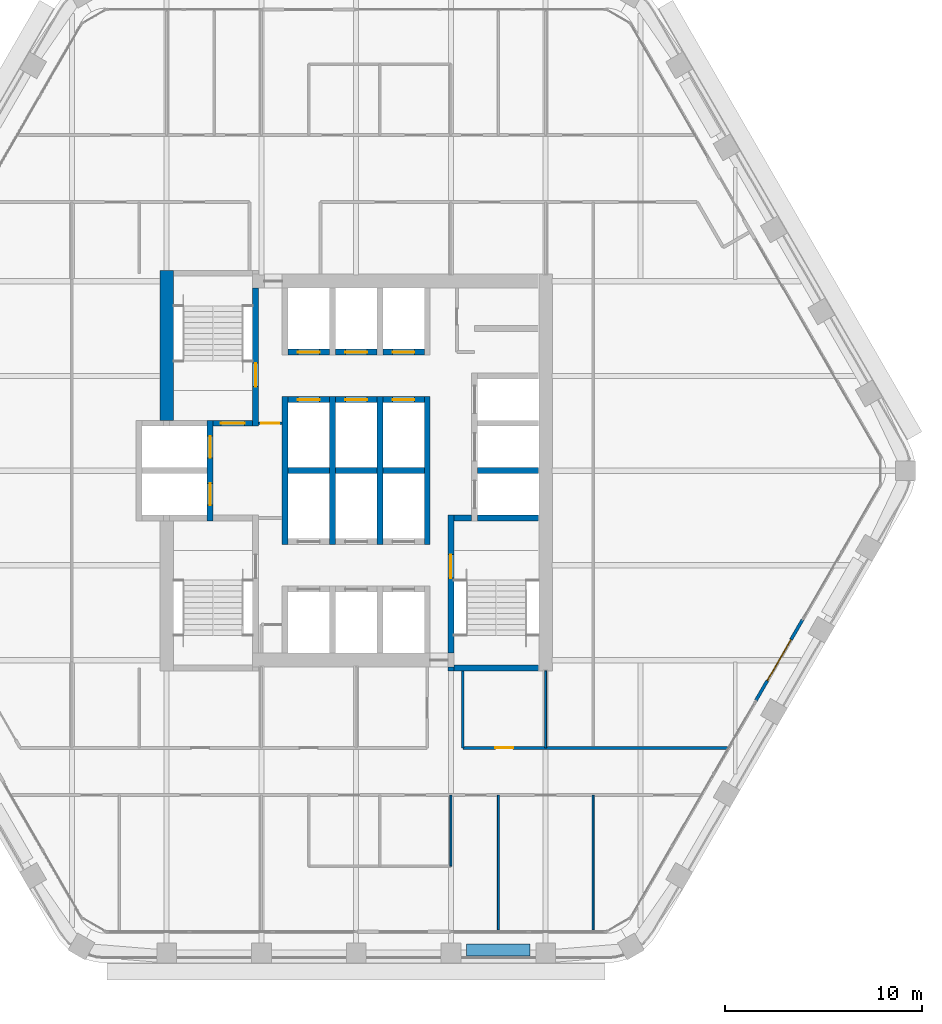
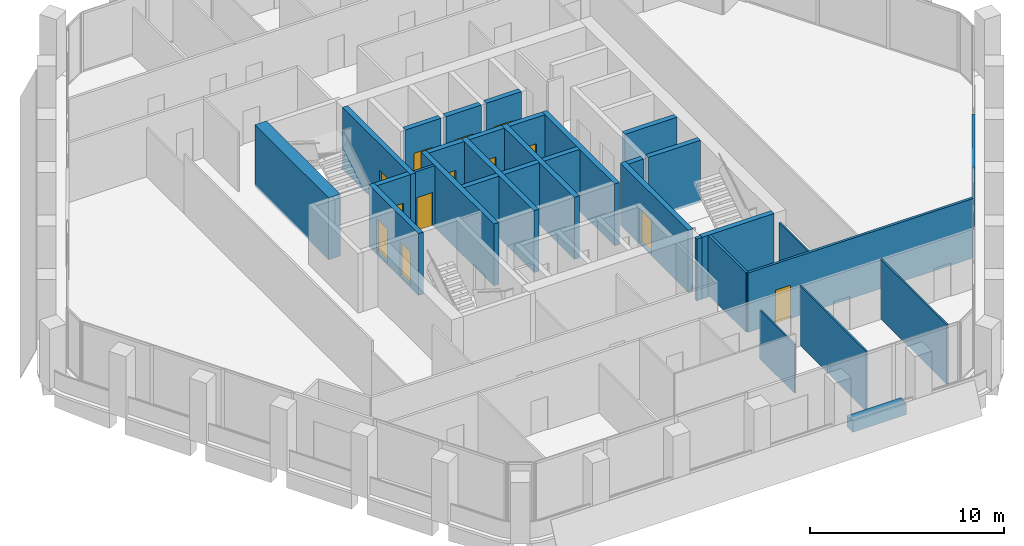
# One storey, part 10 of 15: 32 walls, 14 doors, 14 openings.
"""IFC4 building model written with IfcOpenShell, lengths in metres."""

import ifcopenshell
import ifcopenshell.guid

model = None  # the IFC model being written
_history = None  # IfcOwnerHistory: only IFC2X3 demands one
_inside = {}  # id of a spatial element -> (the spatial element, [elements in it])
_under = {}  # id of a project, library or spatial element -> (it, [spatial elements below it])
_declared = {}  # id of a project -> (the project, [libraries it declares])
_typed = {}  # id of a type object -> (the type object, [elements of that type])
_made_of = {}  # id of a material, layer set ... -> (it, [elements and type objects made of it])


def new_model(schema):
    """Start an empty IFC model of exactly this schema.

    Asked for "IFC4X3", IfcOpenShell would pick the latest addendum, in which some entities
    have other attributes; the version numbers below select the first issue.
    IFC2X3 requires an IfcOwnerHistory on every rooted entity: one is made here for all.
    """
    global model, _history
    if schema == "IFC4X3":
        model = ifcopenshell.file(schema_version=(4, 3, 0, 0))
    else:
        model = ifcopenshell.file(schema=schema)
    _inside.clear()
    _under.clear()
    _declared.clear()
    _typed.clear()
    _made_of.clear()
    _history = None
    if model.schema == "IFC2X3":
        org = make("IfcOrganization", Name="unknown")
        user = make(
            "IfcPersonAndOrganization",
            ThePerson=make("IfcPerson", FamilyName="unknown"),
            TheOrganization=org,
        )
        app = make(
            "IfcApplication",
            ApplicationDeveloper=org,
            Version="unknown",
            ApplicationFullName="unknown",
            ApplicationIdentifier="unknown",
        )
        _history = make(
            "IfcOwnerHistory",
            OwningUser=user,
            OwningApplication=app,
            ChangeAction="ADDED",
            CreationDate=0,
        )
    return model


def make(cls, **values):
    """One entity of the class cls with the attributes given. An attribute that is None is left unset."""
    return model.create_entity(
        cls, **{name: value for name, value in values.items() if value is not None}
    )


def rooted(cls, **values):
    """An entity with a GlobalId (a new one), such as an element, a storey or a relation."""
    return make(cls, GlobalId=ifcopenshell.guid.new(), OwnerHistory=_history, **values)


def si_unit(unit_type, name, prefix=None):
    """IfcSIUnit, for example si_unit("LENGTHUNIT", "METRE", prefix="MILLI")."""
    return make("IfcSIUnit", UnitType=unit_type, Prefix=prefix, Name=name)


def assignment(units):
    """IfcUnitAssignment: the units of a project."""
    return None if units is None else make("IfcUnitAssignment", Units=units)


def point(xyz):
    """IfcCartesianPoint."""
    return None if xyz is None else make("IfcCartesianPoint", Coordinates=xyz)


def direction(xyz):
    """IfcDirection."""
    return None if xyz is None else make("IfcDirection", DirectionRatios=xyz)


def frame(location, z_axis=None, x_axis=None):
    """IfcAxis2Placement3D, a coordinate frame: its origin and axes. An axis left out is left unset."""
    return make(
        "IfcAxis2Placement3D",
        Location=point(location),
        Axis=direction(z_axis),
        RefDirection=direction(x_axis),
    )


def frame_2d(location, x_axis=None):
    """IfcAxis2Placement2D, a coordinate frame in the plane: its origin and x axis."""
    return make(
        "IfcAxis2Placement2D", Location=point(location), RefDirection=direction(x_axis)
    )


def origin():
    """The frame at (0, 0, 0) with its axes left unset."""
    return frame((0.0, 0.0, 0.0))


def place(relative_to, where):
    """IfcLocalPlacement: puts the frame where relative to a parent placement (None: the world)."""
    return make(
        "IfcLocalPlacement", PlacementRelTo=relative_to, RelativePlacement=where
    )


def context(
    kind, dimensions, precision=None, world=None, true_north=None, identifier=None
):
    """IfcGeometricRepresentationContext, for example the 3D "Model" context."""
    return make(
        "IfcGeometricRepresentationContext",
        ContextIdentifier=identifier,
        ContextType=kind,
        CoordinateSpaceDimension=dimensions,
        Precision=precision,
        WorldCoordinateSystem=world,
        TrueNorth=true_north,
    )


def subcontext(parent, identifier, kind, view, scale=None):
    """IfcGeometricRepresentationSubContext, for example "Body" below "Model"."""
    return make(
        "IfcGeometricRepresentationSubContext",
        ContextIdentifier=identifier,
        ContextType=kind,
        ParentContext=parent,
        TargetScale=scale,
        TargetView=view,
    )


def project(units=None, contexts=None):
    """IfcProject with its units and contexts."""
    return rooted(
        "IfcProject",
        Name="project",
        RepresentationContexts=contexts,
        UnitsInContext=assignment(units),
    )


def spatial(cls, under=None, at=None, **own):
    """A site, building, storey or space (cls), placed at a placement, below another one or the project."""
    s = rooted(cls, ObjectPlacement=at, **own)
    if under is not None:
        _under.setdefault(under.id(), (under, []))[1].append(s)
    return s


def profile(cls, at=None, kind="AREA", **sizes):
    """A parametric profile (cls). Its sizes go by their IFC names, for example OverallWidth=200.0."""
    return make(cls, ProfileType=kind, Position=at, **sizes)


def rectangle(**sizes):
    """IfcRectangleProfileDef."""
    return profile("IfcRectangleProfileDef", **sizes)


def extrude(swept, where, along, depth):
    """IfcExtrudedAreaSolid: the profile swept, set in the frame where, extruded along a direction by depth."""
    return make(
        "IfcExtrudedAreaSolid",
        SweptArea=swept,
        Position=where,
        ExtrudedDirection=direction(along),
        Depth=depth,
    )


def shape(context_of_items, identifier, shape_type, items):
    """IfcShapeRepresentation: the items that make up one representation, for example the "Body"."""
    return make(
        "IfcShapeRepresentation",
        ContextOfItems=context_of_items,
        RepresentationIdentifier=identifier,
        RepresentationType=shape_type,
        Items=items,
    )


def material(Name=None, Category=None):
    """IfcMaterial."""
    return make("IfcMaterial", Name=Name, Category=Category)


def layer(
    of_material, thickness, ventilated=None, Name=None, Category=None, Priority=None
):
    """IfcMaterialLayer: one layer of a wall or slab, of a material (None: an air gap)."""
    return make(
        "IfcMaterialLayer",
        Material=of_material,
        LayerThickness=thickness,
        IsVentilated=ventilated,
        Name=Name,
        Category=Category,
        Priority=Priority,
    )


def layer_set(layers, Name=None):
    """IfcMaterialLayerSet."""
    return make("IfcMaterialLayerSet", MaterialLayers=layers, LayerSetName=Name)


def made_of(thing, what):
    """Note that an element or type object is made of a material, layer set ...; save() writes the relation."""
    if what is not None:
        _made_of.setdefault(what.id(), (what, []))[1].append(thing)
    return thing


def type_object(cls, material=None, **own):
    """A type object (cls), such as IfcWallType, which elements share."""
    return made_of(rooted(cls, **own), material)


def element(
    cls,
    number,
    at=None,
    inside=None,
    cuts=None,
    type_object=None,
    material=None,
    context=None,
    identifier="Body",
    shape_type=None,
    held_by="IfcProductDefinitionShape",
    body=None,
    shapes=None,
    **own,
):
    """One element of the class cls, such as IfcWall. Its Tag is "e" and its number.

    at: its placement. inside: the storey or other place that contains it. cuts: it is an
    opening in that element (IfcRelVoidsElement). A single representation is given by context,
    identifier, shape_type and body (its items); several are given by shapes. held_by: the class
    of the entity that holds the representations. save() writes the other relations.
    """
    e = rooted(cls, Tag="e%d" % number, ObjectPlacement=at, **own)
    if body is not None:
        shapes = [shape(context, identifier, shape_type, body)]
    if shapes is not None:
        e.Representation = make(held_by, Representations=shapes)
    if inside is not None:
        _inside.setdefault(inside.id(), (inside, []))[1].append(e)
    if cuts is not None:
        rooted(
            "IfcRelVoidsElement", RelatingBuildingElement=cuts, RelatedOpeningElement=e
        )
    if type_object is not None:
        _typed.setdefault(type_object.id(), (type_object, []))[1].append(e)
    return made_of(e, material)


def fill(opening, filler):
    """IfcRelFillsElement: the door or window that sits in an opening."""
    return rooted(
        "IfcRelFillsElement",
        RelatingOpeningElement=opening,
        RelatedBuildingElement=filler,
    )


def aggregate(whole, parts):
    """IfcRelAggregates: a whole, such as a stair, and the parts it consists of."""
    return rooted("IfcRelAggregates", RelatingObject=whole, RelatedObjects=parts)


def save(model, path):
    """Write the relations noted so far, then the file.

    IfcRelAggregates (storeys below a building ...), IfcRelContainedInSpatialStructure (elements
    in a storey), IfcRelDefinesByType, IfcRelAssociatesMaterial and IfcRelDeclares: one each for
    every whole, place, type object, material and project.
    """
    for whole, parts in _under.values():
        aggregate(whole, parts)
    for where, things in _inside.values():
        rooted(
            "IfcRelContainedInSpatialStructure",
            RelatedElements=things,
            RelatingStructure=where,
        )
    for kind, things in _typed.values():
        rooted("IfcRelDefinesByType", RelatedObjects=things, RelatingType=kind)
    for what, things in _made_of.values():
        rooted("IfcRelAssociatesMaterial", RelatedObjects=things, RelatingMaterial=what)
    for by, libraries in _declared.values():
        rooted("IfcRelDeclares", RelatingContext=by, RelatedDefinitions=libraries)
    model.write(path)


model = new_model("IFC4")

# Units and contexts
model_context = context("Model", 3, precision=1e-05, world=origin(), true_north=direction((0.0, 1.0)))
body_context = subcontext(model_context, "Body", "Model", "MODEL_VIEW")
ifc_project = project(units=[si_unit("LENGTHUNIT", "METRE"), si_unit("AREAUNIT", "SQUARE_METRE"), si_unit("VOLUMEUNIT", "CUBIC_METRE"), si_unit("PLANEANGLEUNIT", "RADIAN"), si_unit("MASSUNIT", "GRAM", prefix="KILO")], contexts=[model_context])

# Site, building, storey
site_placement = place(None, origin())
site = spatial("IfcSite", under=ifc_project, at=site_placement, CompositionType="ELEMENT")
building_placement = place(site_placement, origin())
building = spatial("IfcBuilding", under=site, at=building_placement, Name="Kolab Exchange Tower", CompositionType="ELEMENT")
storey_placement = place(building_placement, frame((0.0, 0.0, 170.0)))
storey = spatial("IfcBuildingStorey", under=building, at=storey_placement, Name="L35", CompositionType="ELEMENT", Elevation=170.0)

# Wall
ifc_material_1 = material(Name="Concrete C60/75", Category="concrete")
ifc_layer_1 = layer(ifc_material_1, 0.699951171875)
ifc_layer_set_1 = layer_set([ifc_layer_1], Name="Concrete C60/75")
wall_type_1 = type_object("IfcWallType", Name="CORE WALL 700 C60/75", PredefinedType="SHEAR", material=ifc_layer_set_1)
wall_1_placement = place(storey_placement, frame((-9.60009765625, 2.550048828125, -0.14990234375), z_axis=(0.0, 0.0, 1.0), x_axis=(0.0, 1.0, 0.0)))
element("IfcWall", 1, at=wall_1_placement, inside=storey, type_object=wall_type_1, Name="wall/L35/core/037", PredefinedType="SHEAR", context=body_context, shape_type="SweptSolid", body=[
    extrude(rectangle(XDim=7.599853515625, YDim=0.699951171875, at=frame_2d((3.7998046875, 0.0))), origin(), (0.0, 0.0, 1.0), 3.89990234375),
])

# Wall, opening, door
ifc_material_2 = material(Name="Aluminium EN AW-6063 T6", Category="aluminium")
ifc_layer_2 = layer(ifc_material_2, 0.159912109375)
ifc_layer_set_2 = layer_set([ifc_layer_2], Name="Aluminium EN AW-6063 T6")
wall_type_2 = type_object("IfcWallType", Name="DOOR SURROUND WALL 160 ALUMINIUM FRAMED", PredefinedType="PARTITIONING", material=ifc_layer_set_2)
wall_2_placement = place(storey_placement, frame((22.61669921875, -7.5498046875, 0.0), z_axis=(0.0, 0.0, 1.0), x_axis=(-0.5000167099, -0.866015756104, 0.0)))
wall_2 = element("IfcWall", 2, at=wall_2_placement, inside=storey, type_object=wall_type_2, Name="Door surround wall", PredefinedType="PARTITIONING", context=body_context, shape_type="SweptSolid", body=[
    extrude(rectangle(XDim=4.739990234375, YDim=0.159912109375, at=frame_2d((2.3701171875, 0.0))), origin(), (0.0, 0.0, 1.0), 3.75),
])
opening_1_placement = place(wall_2_placement, frame((1.169921875, 0.0, 0.0)))
opening_1 = element("IfcOpeningElement", 3, at=opening_1_placement, cuts=wall_2, Name="Opening GD1-066", PredefinedType="OPENING", context=body_context, shape_type="SweptSolid", body=[
    extrude(rectangle(XDim=2.39990234375, YDim=2.39990234375, at=frame_2d((1.199951171875, 1.199951171875))), frame((0.0, 0.08984375, 0.0), z_axis=(0.0, -1.0, 0.0), x_axis=(1.0, 0.0, 0.0)), (0.0, 0.0, 1.0), 0.179931640625),
])
door_type_1 = type_object("IfcDoorType", Name="LOGGIA SLIDING GLASS DOOR 2400 X 2400", OperationType="DOUBLE_DOOR_SINGLE_SWING", PredefinedType="DOOR", material=ifc_material_2)
door_1_placement = place(opening_1_placement, origin())
door_1 = element("IfcDoor", 4, at=door_1_placement, inside=storey, type_object=door_type_1, Name="Loggia door", OperationType="DOUBLE_DOOR_SLIDING", OverallHeight=2.39990234375, OverallWidth=2.39990234375, PredefinedType="DOOR", context=body_context, shape_type="SweptSolid", body=[
    extrude(rectangle(XDim=2.39990234375, YDim=2.39990234375, at=frame_2d((1.199951171875, 1.199951171875))), frame((0.0, 0.02490234375, 0.0), z_axis=(0.0, -1.0, 0.0), x_axis=(1.0, 0.0, 0.0)), (0.0, 0.0, 1.0), 0.050048828125),
])
fill(opening_1, door_1)

# Walls
ifc_material_3 = material(Name="Concrete C50/60", Category="concrete")
ifc_layer_3 = layer(ifc_material_3, 0.300048828125)
ifc_layer_set_3 = layer_set([ifc_layer_3], Name="Concrete C50/60")
wall_type_3 = type_object("IfcWallType", Name="LIFT SHAFT WALL 300 C50/60", PredefinedType="STANDARD", material=ifc_layer_set_3)
wall_3_placement = place(storey_placement, frame((-3.449951171875, 0.0, -0.14990234375), z_axis=(0.0, 0.0, 1.0), x_axis=(1.0, 0.0, 0.0)))
element("IfcWall", 5, at=wall_3_placement, inside=storey, type_object=wall_type_3, Name="wall/L35/core/015", PredefinedType="STANDARD", context=body_context, shape_type="SweptSolid", body=[
    extrude(rectangle(XDim=2.099853515625, YDim=0.300048828125, at=frame_2d((1.0498046875, 0.0))), origin(), (0.0, 0.0, 1.0), 3.89990234375),
])
wall_4_placement = place(storey_placement, frame((-1.050048828125, 0.0, -0.14990234375), z_axis=(0.0, 0.0, 1.0), x_axis=(1.0, 0.0, 0.0)))
element("IfcWall", 6, at=wall_4_placement, inside=storey, type_object=wall_type_3, Name="wall/L35/core/016", PredefinedType="STANDARD", context=body_context, shape_type="SweptSolid", body=[
    extrude(rectangle(XDim=2.10009765625, YDim=0.300048828125, at=frame_2d((1.050048828125, 0.0))), origin(), (0.0, 0.0, 1.0), 3.89990234375),
])
wall_5_placement = place(storey_placement, frame((1.35009765625, 0.0, -0.14990234375), z_axis=(0.0, 0.0, 1.0), x_axis=(1.0, 0.0, 0.0)))
element("IfcWall", 7, at=wall_5_placement, inside=storey, type_object=wall_type_3, Name="wall/L35/core/017", PredefinedType="STANDARD", context=body_context, shape_type="SweptSolid", body=[
    extrude(rectangle(XDim=2.099853515625, YDim=0.300048828125, at=frame_2d((1.0498046875, 0.0))), origin(), (0.0, 0.0, 1.0), 3.89990234375),
])
wall_6_placement = place(storey_placement, frame((6.14990234375, 0.0, -0.14990234375), z_axis=(0.0, 0.0, 1.0), x_axis=(1.0, 0.0, 0.0)))
element("IfcWall", 8, at=wall_6_placement, inside=storey, type_object=wall_type_3, Name="wall/L35/core/018", PredefinedType="STANDARD", context=body_context, shape_type="SweptSolid", body=[
    extrude(rectangle(XDim=3.10009765625, YDim=0.300048828125, at=frame_2d((1.550048828125, 0.0))), origin(), (0.0, 0.0, 1.0), 3.89990234375),
])

# Wall, opening, door
wall_7_placement = place(storey_placement, frame((-3.449951171875, 3.60009765625, -0.14990234375), z_axis=(0.0, 0.0, 1.0), x_axis=(1.0, 0.0, 0.0)))
wall_7 = element("IfcWall", 9, at=wall_7_placement, inside=storey, type_object=wall_type_3, Name="wall/L35/core/023", PredefinedType="STANDARD", context=body_context, shape_type="SweptSolid", body=[
    extrude(rectangle(XDim=2.099853515625, YDim=0.300048828125, at=frame_2d((1.0498046875, 0.0))), origin(), (0.0, 0.0, 1.0), 3.89990234375),
])
opening_2_placement = place(wall_7_placement, frame((0.5, 0.0, 0.14990234375)))
opening_2 = element("IfcOpeningElement", 10, at=opening_2_placement, cuts=wall_7, Name="Opening LD1-115", PredefinedType="OPENING", context=body_context, shape_type="SweptSolid", body=[
    extrude(rectangle(XDim=1.10009765625, YDim=2.10009765625, at=frame_2d((0.550048828125, 1.050048828125))), frame((0.0, 0.16015625, 0.0), z_axis=(0.0, -1.0, 0.0), x_axis=(1.0, 0.0, 0.0)), (0.0, 0.0, 1.0), 0.320068359375),
])
ifc_material_4 = material(Name="Stainless steel 316", Category="steel")
door_type_2 = type_object("IfcDoorType", Name="LANDING DOOR 1100 PASSENGER", OperationType="DOUBLE_DOOR_SLIDING", PredefinedType="DOOR", material=ifc_material_4)
door_2_placement = place(opening_2_placement, origin())
door_2 = element("IfcDoor", 11, at=door_2_placement, inside=storey, type_object=door_type_2, Name="Landing door HR4", OperationType="DOUBLE_DOOR_SLIDING", OverallHeight=2.10009765625, OverallWidth=1.10009765625, PredefinedType="DOOR", context=body_context, shape_type="SweptSolid", body=[
    extrude(rectangle(XDim=1.10009765625, YDim=2.10009765625, at=frame_2d((0.550048828125, 1.050048828125))), frame((0.0, 0.02490234375, 0.0), z_axis=(0.0, -1.0, 0.0), x_axis=(1.0, 0.0, 0.0)), (0.0, 0.0, 1.0), 0.050048828125),
])
fill(opening_2, door_2)

wall_8_placement = place(storey_placement, frame((-1.050048828125, 3.60009765625, -0.14990234375), z_axis=(0.0, 0.0, 1.0), x_axis=(1.0, 0.0, 0.0)))
wall_8 = element("IfcWall", 12, at=wall_8_placement, inside=storey, type_object=wall_type_3, Name="wall/L35/core/024", PredefinedType="STANDARD", context=body_context, shape_type="SweptSolid", body=[
    extrude(rectangle(XDim=2.10009765625, YDim=0.300048828125, at=frame_2d((1.050048828125, 0.0))), origin(), (0.0, 0.0, 1.0), 3.89990234375),
])
opening_3_placement = place(wall_8_placement, frame((0.5, 0.0, 0.14990234375)))
opening_3 = element("IfcOpeningElement", 13, at=opening_3_placement, cuts=wall_8, Name="Opening LD1-116", PredefinedType="OPENING", context=body_context, shape_type="SweptSolid", body=[
    extrude(rectangle(XDim=1.10009765625, YDim=2.10009765625, at=frame_2d((0.550048828125, 1.050048828125))), frame((0.0, 0.16015625, 0.0), z_axis=(0.0, -1.0, 0.0), x_axis=(1.0, 0.0, 0.0)), (0.0, 0.0, 1.0), 0.320068359375),
])
door_3_placement = place(opening_3_placement, origin())
door_3 = element("IfcDoor", 14, at=door_3_placement, inside=storey, type_object=door_type_2, Name="Landing door HR5", OperationType="DOUBLE_DOOR_SLIDING", OverallHeight=2.10009765625, OverallWidth=1.10009765625, PredefinedType="DOOR", context=body_context, shape_type="SweptSolid", body=[
    extrude(rectangle(XDim=1.10009765625, YDim=2.10009765625, at=frame_2d((0.550048828125, 1.050048828125))), frame((0.0, 0.02490234375, 0.0), z_axis=(0.0, -1.0, 0.0), x_axis=(1.0, 0.0, 0.0)), (0.0, 0.0, 1.0), 0.050048828125),
])
fill(opening_3, door_3)

wall_9_placement = place(storey_placement, frame((1.35009765625, 3.60009765625, -0.14990234375), z_axis=(0.0, 0.0, 1.0), x_axis=(1.0, 0.0, 0.0)))
wall_9 = element("IfcWall", 15, at=wall_9_placement, inside=storey, type_object=wall_type_3, Name="wall/L35/core/025", PredefinedType="STANDARD", context=body_context, shape_type="SweptSolid", body=[
    extrude(rectangle(XDim=2.099853515625, YDim=0.300048828125, at=frame_2d((1.0498046875, 0.0))), origin(), (0.0, 0.0, 1.0), 3.89990234375),
])
opening_4_placement = place(wall_9_placement, frame((0.5, 0.0, 0.14990234375)))
opening_4 = element("IfcOpeningElement", 16, at=opening_4_placement, cuts=wall_9, Name="Opening LD1-117", PredefinedType="OPENING", context=body_context, shape_type="SweptSolid", body=[
    extrude(rectangle(XDim=1.10009765625, YDim=2.10009765625, at=frame_2d((0.550048828125, 1.050048828125))), frame((0.0, 0.16015625, 0.0), z_axis=(0.0, -1.0, 0.0), x_axis=(1.0, 0.0, 0.0)), (0.0, 0.0, 1.0), 0.320068359375),
])
door_4_placement = place(opening_4_placement, origin())
door_4 = element("IfcDoor", 17, at=door_4_placement, inside=storey, type_object=door_type_2, Name="Landing door HR6", OperationType="DOUBLE_DOOR_SLIDING", OverallHeight=2.10009765625, OverallWidth=1.10009765625, PredefinedType="DOOR", context=body_context, shape_type="SweptSolid", body=[
    extrude(rectangle(XDim=1.10009765625, YDim=2.10009765625, at=frame_2d((0.550048828125, 1.050048828125))), frame((0.0, 0.02490234375, 0.0), z_axis=(0.0, -1.0, 0.0), x_axis=(1.0, 0.0, 0.0)), (0.0, 0.0, 1.0), 0.050048828125),
])
fill(opening_4, door_4)

wall_10_placement = place(storey_placement, frame((-3.449951171875, 6.0, -0.14990234375), z_axis=(0.0, 0.0, 1.0), x_axis=(1.0, 0.0, 0.0)))
wall_10 = element("IfcWall", 18, at=wall_10_placement, inside=storey, type_object=wall_type_3, Name="wall/L35/core/027", PredefinedType="STANDARD", context=body_context, shape_type="SweptSolid", body=[
    extrude(rectangle(XDim=2.099853515625, YDim=0.300048828125, at=frame_2d((1.0498046875, 0.0))), origin(), (0.0, 0.0, 1.0), 3.89990234375),
])
opening_5_placement = place(wall_10_placement, frame((0.5, 0.0, 0.14990234375)))
opening_5 = element("IfcOpeningElement", 19, at=opening_5_placement, cuts=wall_10, Name="Opening LD1-109", PredefinedType="OPENING", context=body_context, shape_type="SweptSolid", body=[
    extrude(rectangle(XDim=1.10009765625, YDim=2.10009765625, at=frame_2d((0.550048828125, 1.050048828125))), frame((0.0, 0.16015625, 0.0), z_axis=(0.0, -1.0, 0.0), x_axis=(1.0, 0.0, 0.0)), (0.0, 0.0, 1.0), 0.320068359375),
])
door_5_placement = place(opening_5_placement, origin())
door_5 = element("IfcDoor", 20, at=door_5_placement, inside=storey, type_object=door_type_2, Name="Landing door HR1", OperationType="DOUBLE_DOOR_SLIDING", OverallHeight=2.10009765625, OverallWidth=1.10009765625, PredefinedType="DOOR", context=body_context, shape_type="SweptSolid", body=[
    extrude(rectangle(XDim=1.10009765625, YDim=2.10009765625, at=frame_2d((0.550048828125, 1.050048828125))), frame((0.0, 0.02490234375, 0.0), z_axis=(0.0, -1.0, 0.0), x_axis=(1.0, 0.0, 0.0)), (0.0, 0.0, 1.0), 0.050048828125),
])
fill(opening_5, door_5)

wall_11_placement = place(storey_placement, frame((-1.050048828125, 6.0, -0.14990234375), z_axis=(0.0, 0.0, 1.0), x_axis=(1.0, 0.0, 0.0)))
wall_11 = element("IfcWall", 21, at=wall_11_placement, inside=storey, type_object=wall_type_3, Name="wall/L35/core/028", PredefinedType="STANDARD", context=body_context, shape_type="SweptSolid", body=[
    extrude(rectangle(XDim=2.10009765625, YDim=0.300048828125, at=frame_2d((1.050048828125, 0.0))), origin(), (0.0, 0.0, 1.0), 3.89990234375),
])
opening_6_placement = place(wall_11_placement, frame((0.5, 0.0, 0.14990234375)))
opening_6 = element("IfcOpeningElement", 22, at=opening_6_placement, cuts=wall_11, Name="Opening LD1-113", PredefinedType="OPENING", context=body_context, shape_type="SweptSolid", body=[
    extrude(rectangle(XDim=1.10009765625, YDim=2.10009765625, at=frame_2d((0.550048828125, 1.050048828125))), frame((0.0, 0.16015625, 0.0), z_axis=(0.0, -1.0, 0.0), x_axis=(1.0, 0.0, 0.0)), (0.0, 0.0, 1.0), 0.320068359375),
])
door_6_placement = place(opening_6_placement, origin())
door_6 = element("IfcDoor", 23, at=door_6_placement, inside=storey, type_object=door_type_2, Name="Landing door HR2", OperationType="DOUBLE_DOOR_SLIDING", OverallHeight=2.10009765625, OverallWidth=1.10009765625, PredefinedType="DOOR", context=body_context, shape_type="SweptSolid", body=[
    extrude(rectangle(XDim=1.10009765625, YDim=2.10009765625, at=frame_2d((0.550048828125, 1.050048828125))), frame((0.0, 0.02490234375, 0.0), z_axis=(0.0, -1.0, 0.0), x_axis=(1.0, 0.0, 0.0)), (0.0, 0.0, 1.0), 0.050048828125),
])
fill(opening_6, door_6)

wall_12_placement = place(storey_placement, frame((1.35009765625, 6.0, -0.14990234375), z_axis=(0.0, 0.0, 1.0), x_axis=(1.0, 0.0, 0.0)))
wall_12 = element("IfcWall", 24, at=wall_12_placement, inside=storey, type_object=wall_type_3, Name="wall/L35/core/029", PredefinedType="STANDARD", context=body_context, shape_type="SweptSolid", body=[
    extrude(rectangle(XDim=2.099853515625, YDim=0.300048828125, at=frame_2d((1.0498046875, 0.0))), origin(), (0.0, 0.0, 1.0), 3.89990234375),
])
opening_7_placement = place(wall_12_placement, frame((0.5, 0.0, 0.14990234375)))
opening_7 = element("IfcOpeningElement", 25, at=opening_7_placement, cuts=wall_12, Name="Opening LD1-114", PredefinedType="OPENING", context=body_context, shape_type="SweptSolid", body=[
    extrude(rectangle(XDim=1.10009765625, YDim=2.10009765625, at=frame_2d((0.550048828125, 1.050048828125))), frame((0.0, 0.16015625, 0.0), z_axis=(0.0, -1.0, 0.0), x_axis=(1.0, 0.0, 0.0)), (0.0, 0.0, 1.0), 0.320068359375),
])
door_7_placement = place(opening_7_placement, origin())
door_7 = element("IfcDoor", 26, at=door_7_placement, inside=storey, type_object=door_type_2, Name="Landing door HR3", OperationType="DOUBLE_DOOR_SLIDING", OverallHeight=2.10009765625, OverallWidth=1.10009765625, PredefinedType="DOOR", context=body_context, shape_type="SweptSolid", body=[
    extrude(rectangle(XDim=1.10009765625, YDim=2.10009765625, at=frame_2d((0.550048828125, 1.050048828125))), frame((0.0, 0.02490234375, 0.0), z_axis=(0.0, -1.0, 0.0), x_axis=(1.0, 0.0, 0.0)), (0.0, 0.0, 1.0), 0.050048828125),
])
fill(opening_7, door_7)

# Wall, openings, doors
wall_13_placement = place(storey_placement, frame((-7.39990234375, -2.550048828125, -0.14990234375), z_axis=(0.0, 0.0, 1.0), x_axis=(0.0, 1.0, 0.0)))
wall_13 = element("IfcWall", 27, at=wall_13_placement, inside=storey, type_object=wall_type_3, Name="wall/L35/core/038", PredefinedType="STANDARD", context=body_context, shape_type="SweptSolid", body=[
    extrude(rectangle(XDim=5.10009765625, YDim=0.300048828125, at=frame_2d((2.550048828125, 0.0))), origin(), (0.0, 0.0, 1.0), 3.89990234375),
])
opening_8_placement = place(wall_13_placement, frame((0.800048828125, 0.0, 0.14990234375)))
opening_8 = element("IfcOpeningElement", 28, at=opening_8_placement, cuts=wall_13, Name="Opening LD2-025", PredefinedType="OPENING", context=body_context, shape_type="SweptSolid", body=[
    extrude(rectangle(XDim=1.10009765625, YDim=2.10009765625, at=frame_2d((0.550048828125, 1.050048828125))), frame((0.0, 0.16015625, 0.0), z_axis=(0.0, -1.0, 0.0), x_axis=(1.0, 0.0, 0.0)), (0.0, 0.0, 1.0), 0.320068359375),
])
opening_9_placement = place(wall_13_placement, frame((3.199951171875, 0.0, 0.14990234375)))
opening_9 = element("IfcOpeningElement", 29, at=opening_9_placement, cuts=wall_13, Name="Opening LD2-026", PredefinedType="OPENING", context=body_context, shape_type="SweptSolid", body=[
    extrude(rectangle(XDim=1.10009765625, YDim=2.10009765625, at=frame_2d((0.550048828125, 1.050048828125))), frame((0.0, 0.16015625, 0.0), z_axis=(0.0, -1.0, 0.0), x_axis=(1.0, 0.0, 0.0)), (0.0, 0.0, 1.0), 0.320068359375),
])
door_type_3 = type_object("IfcDoorType", Name="LANDING DOOR 1100 FIREFIGHTING", OperationType="DOUBLE_DOOR_SLIDING", PredefinedType="DOOR", material=ifc_material_4)
door_8_placement = place(opening_8_placement, origin())
door_8 = element("IfcDoor", 30, at=door_8_placement, inside=storey, type_object=door_type_3, Name="Landing door FF1", OperationType="DOUBLE_DOOR_SLIDING", OverallHeight=2.10009765625, OverallWidth=1.10009765625, PredefinedType="DOOR", context=body_context, shape_type="SweptSolid", body=[
    extrude(rectangle(XDim=1.10009765625, YDim=2.10009765625, at=frame_2d((0.550048828125, 1.050048828125))), frame((0.0, 0.02490234375, 0.0), z_axis=(0.0, -1.0, 0.0), x_axis=(1.0, 0.0, 0.0)), (0.0, 0.0, 1.0), 0.050048828125),
])
fill(opening_8, door_8)
door_9_placement = place(opening_9_placement, origin())
door_9 = element("IfcDoor", 31, at=door_9_placement, inside=storey, type_object=door_type_3, Name="Landing door FF2", OperationType="DOUBLE_DOOR_SLIDING", OverallHeight=2.10009765625, OverallWidth=1.10009765625, PredefinedType="DOOR", context=body_context, shape_type="SweptSolid", body=[
    extrude(rectangle(XDim=1.10009765625, YDim=2.10009765625, at=frame_2d((0.550048828125, 1.050048828125))), frame((0.0, 0.02490234375, 0.0), z_axis=(0.0, -1.0, 0.0), x_axis=(1.0, 0.0, 0.0)), (0.0, 0.0, 1.0), 0.050048828125),
])
fill(opening_9, door_9)

# Walls
for number, where, z_axis, x_axis, name in (
    (32, (-3.60009765625, -3.75, -0.14990234375), (0.0, 0.0, 1.0), (0.0, 1.0, 0.0), "wall/L35/core/044"),
    (33, (-1.199951171875, -3.75, -0.14990234375), (0.0, 0.0, 1.0), (0.0, 1.0, 0.0), "wall/L35/core/047"),
    (34, (1.199951171875, -3.75, -0.14990234375), (0.0, 0.0, 1.0), (0.0, 1.0, 0.0), "wall/L35/core/050"),
    (35, (3.60009765625, -3.75, -0.14990234375), (0.0, 0.0, 1.0), (0.0, 1.0, 0.0), "wall/L35/core/053"),
):
    element("IfcWall", number, at=place(storey_placement, frame(where, z_axis=z_axis, x_axis=x_axis)), inside=storey, type_object=wall_type_3, Name=name, PredefinedType="STANDARD", context=body_context, shape_type="SweptSolid", body=[
        extrude(rectangle(XDim=7.5, YDim=0.300048828125, at=frame_2d((3.75, 0.0))), origin(), (0.0, 0.0, 1.0), 3.89990234375),
    ])
ifc_material_5 = material(Name="Gypsum board", Category="gypsum")
ifc_layer_4 = layer(ifc_material_5, 0.10009765625)
ifc_layer_set_4 = layer_set([ifc_layer_4], Name="Gypsum board")
wall_type_4 = type_object("IfcWallType", Name="PARTITION 100", PredefinedType="PARTITIONING", material=ifc_layer_set_4)
wall_14_placement = place(storey_placement, frame((12.0, -23.271484375, 0.0), z_axis=(0.0, 0.0, 1.0), x_axis=(0.0, 1.0, 0.0)))
element("IfcWall", 36, at=wall_14_placement, inside=storey, type_object=wall_type_4, Name="Partition 000", PredefinedType="PARTITIONING", context=body_context, shape_type="SweptSolid", body=[
    extrude(rectangle(XDim=6.830078125, YDim=0.10009765625, at=frame_2d((3.4150390625, 0.0))), origin(), (0.0, 0.0, 1.0), 3.75),
])
wall_15_placement = place(storey_placement, frame((9.60009765625, -14.04150390625, 0.0), z_axis=(0.0, 0.0, 1.0), x_axis=(0.0, 1.0, 0.0)))
element("IfcWall", 37, at=wall_15_placement, inside=storey, type_object=wall_type_4, Name="Partition 002", PredefinedType="PARTITIONING", context=body_context, shape_type="SweptSolid", body=[
    extrude(rectangle(XDim=3.8916015625, YDim=0.10009765625, at=frame_2d((1.94580078125, 0.0))), origin(), (0.0, 0.0, 1.0), 3.06591796875),
])
wall_16_placement = place(storey_placement, frame((7.199951171875, -23.271484375, 0.0), z_axis=(0.0, 0.0, 1.0), x_axis=(0.0, 1.0, 0.0)))
element("IfcWall", 38, at=wall_16_placement, inside=storey, type_object=wall_type_4, Name="Partition 005", PredefinedType="PARTITIONING", context=body_context, shape_type="SweptSolid", body=[
    extrude(rectangle(XDim=6.830078125, YDim=0.10009765625, at=frame_2d((3.4150390625, 0.0))), origin(), (0.0, 0.0, 1.0), 3.75),
])
wall_17_placement = place(storey_placement, frame((4.800048828125, -20.04150390625, 0.0), z_axis=(0.0, 0.0, 1.0), x_axis=(0.0, 1.0, 0.0)))
element("IfcWall", 39, at=wall_17_placement, inside=storey, type_object=wall_type_4, Name="Partition 009", PredefinedType="PARTITIONING", context=body_context, shape_type="SweptSolid", body=[
    extrude(rectangle(XDim=3.60009765625, YDim=0.10009765625, at=frame_2d((1.800048828125, 0.0))), origin(), (0.0, 0.0, 1.0), 3.06591796875),
])
ifc_layer_5 = layer(ifc_material_5, 0.14990234375)
ifc_layer_set_5 = layer_set([ifc_layer_5], Name="Gypsum board")
wall_type_5 = type_object("IfcWallType", Name="PARTITION 150 FIRE-RATED", PredefinedType="PARTITIONING", material=ifc_layer_set_5)
wall_18_placement = place(storey_placement, frame((5.39990234375, -14.04150390625, 0.0), z_axis=(0.0, 0.0, 1.0), x_axis=(0.0, 1.0, 0.0)))
element("IfcWall", 40, at=wall_18_placement, inside=storey, type_object=wall_type_5, Name="Partition 007", PredefinedType="PARTITIONING", context=body_context, shape_type="SweptSolid", body=[
    extrude(rectangle(XDim=3.8916015625, YDim=0.14990234375, at=frame_2d((1.94580078125, 0.0))), origin(), (0.0, 0.0, 1.0), 3.75),
])

# Wall, opening, door
wall_19_placement = place(storey_placement, frame((5.39990234375, -14.04150390625, 0.0), z_axis=(0.0, 0.0, 1.0), x_axis=(1.0, 0.0, 0.0)))
wall_19 = element("IfcWall", 41, at=wall_19_placement, inside=storey, type_object=wall_type_5, Name="Partition 037", PredefinedType="PARTITIONING", context=body_context, shape_type="SweptSolid", body=[
    extrude(rectangle(XDim=13.422607421875, YDim=0.14990234375, at=frame_2d((6.71142578125, 0.0))), origin(), (0.0, 0.0, 1.0), 3.75),
])
opening_10_placement = place(wall_19_placement, frame((1.64990234375, 0.0, 0.0)))
opening_10 = element("IfcOpeningElement", 42, at=opening_10_placement, cuts=wall_19, Name="Opening D3-051", PredefinedType="OPENING", context=body_context, shape_type="SweptSolid", body=[
    extrude(rectangle(XDim=0.89990234375, YDim=2.10009765625, at=frame_2d((0.449951171875, 1.050048828125))), frame((0.0, 0.0849609375, 0.0), z_axis=(0.0, -1.0, 0.0), x_axis=(1.0, 0.0, 0.0)), (0.0, 0.0, 1.0), 0.169921875),
])
ifc_material_6 = material(Name="Steel S235", Category="steel")
door_type_4 = type_object("IfcDoorType", Name="FLUSH DOOR 900 FD60", OperationType="SINGLE_SWING_LEFT", PredefinedType="DOOR", material=ifc_material_6)
door_10_placement = place(opening_10_placement, origin())
door_10 = element("IfcDoor", 43, at=door_10_placement, inside=storey, type_object=door_type_4, Name="Door L35-034", OperationType="SINGLE_SWING_LEFT", OverallHeight=2.10009765625, OverallWidth=0.89990234375, PredefinedType="DOOR", context=body_context, shape_type="SweptSolid", body=[
    extrude(rectangle(XDim=0.89990234375, YDim=2.10009765625, at=frame_2d((0.449951171875, 1.050048828125))), frame((0.0, 0.02490234375, 0.0), z_axis=(0.0, -1.0, 0.0), x_axis=(1.0, 0.0, 0.0)), (0.0, 0.0, 1.0), 0.050048828125),
])
fill(opening_10, door_10)

wall_20_placement = place(storey_placement, frame((-4.949951171875, 2.39990234375, 0.0), z_axis=(0.0, 0.0, 1.0), x_axis=(1.0, 0.0, 0.0)))
wall_20 = element("IfcWall", 44, at=wall_20_placement, inside=storey, type_object=wall_type_5, Name="Fire partition", PredefinedType="PARTITIONING", context=body_context, shape_type="SweptSolid", body=[
    extrude(rectangle(XDim=1.199951171875, YDim=0.14990234375, at=frame_2d((0.60009765625, 0.0))), origin(), (0.0, 0.0, 1.0), 3.75),
])
opening_11_placement = place(wall_20_placement, frame((0.14990234375, 0.0, 0.0)))
opening_11 = element("IfcOpeningElement", 45, at=opening_11_placement, cuts=wall_20, Name="Opening D6-288", PredefinedType="OPENING", context=body_context, shape_type="SweptSolid", body=[
    extrude(rectangle(XDim=0.89990234375, YDim=2.10009765625, at=frame_2d((0.449951171875, 1.050048828125))), frame((0.0, 0.0849609375, 0.0), z_axis=(0.0, -1.0, 0.0), x_axis=(1.0, 0.0, 0.0)), (0.0, 0.0, 1.0), 0.169921875),
])
door_type_5 = type_object("IfcDoorType", Name="CORE DOOR 900 EI 120", OperationType="SINGLE_SWING_LEFT", PredefinedType="DOOR", material=ifc_material_6)
door_11_placement = place(opening_11_placement, frame((0.89990234375, 0.0, 0.0), z_axis=(0.0, 0.0, 1.0), x_axis=(-1.0, 0.0, 0.0)))
door_11 = element("IfcDoor", 46, at=door_11_placement, inside=storey, type_object=door_type_5, Name="Firefighting lobby door", OperationType="SINGLE_SWING_RIGHT", OverallHeight=2.10009765625, OverallWidth=0.89990234375, PredefinedType="DOOR", context=body_context, shape_type="SweptSolid", body=[
    extrude(rectangle(XDim=0.89990234375, YDim=2.10009765625, at=frame_2d((0.449951171875, 1.050048828125))), frame((0.0, 0.02490234375, 0.0), z_axis=(0.0, -1.0, 0.0), x_axis=(1.0, 0.0, 0.0)), (0.0, 0.0, 1.0), 0.050048828125),
])
fill(opening_11, door_11)

# Walls
ifc_material_7 = material(Name="Granite facing", Category="masonry")
ifc_layer_6 = layer(ifc_material_7, 0.0400390625)
ifc_material_8 = material(Name="Concrete C40/50 precast", Category="concrete")
ifc_layer_7 = layer(ifc_material_8, 0.56005859375)
ifc_layer_set_6 = layer_set([ifc_layer_6, ifc_layer_7], Name="Concrete C40/50 precast")
wall_type_6 = type_object("IfcWallType", Name="PLANTER BOX 600 X 700 SOIL DEPTH 550", PredefinedType="USERDEFINED", material=ifc_layer_set_6)
wall_21_placement = place(storey_placement, frame((8.800048828125, -24.29150390625, 0.0), z_axis=(0.0, 0.0, 1.0), x_axis=(-1.0, 0.0, 0.0)))
element("IfcWall", 47, at=wall_21_placement, inside=storey, type_object=wall_type_6, Name="Planter", ObjectType="PLANTER", PredefinedType="USERDEFINED", context=body_context, shape_type="SweptSolid", body=[
    extrude(rectangle(XDim=3.199951171875, YDim=0.60009765625, at=frame_2d((1.60009765625, 0.0))), origin(), (0.0, 0.0, 1.0), 0.699951171875),
])
ifc_layer_8 = layer(ifc_material_3, 0.300048828125)
ifc_layer_set_7 = layer_set([ifc_layer_8], Name="Concrete C50/60")
wall_type_7 = type_object("IfcWallType", Name="STAIR ENCLOSURE WALL 300 C50/60", PredefinedType="STANDARD", material=ifc_layer_set_7)
wall_22_placement = place(storey_placement, frame((4.949951171875, -10.0, -0.14990234375), z_axis=(0.0, 0.0, 1.0), x_axis=(1.0, 0.0, 0.0)))
element("IfcWall", 48, at=wall_22_placement, inside=storey, type_object=wall_type_7, Name="wall/L35/core/001", PredefinedType="STANDARD", context=body_context, shape_type="SweptSolid", body=[
    extrude(rectangle(XDim=4.300048828125, YDim=0.300048828125, at=frame_2d((2.14990234375, 0.0))), origin(), (0.0, 0.0, 1.0), 3.89990234375),
])
wall_23_placement = place(storey_placement, frame((4.949951171875, -2.39990234375, -0.14990234375), z_axis=(0.0, 0.0, 1.0), x_axis=(1.0, 0.0, 0.0)))
element("IfcWall", 49, at=wall_23_placement, inside=storey, type_object=wall_type_7, Name="wall/L35/core/012", PredefinedType="STANDARD", context=body_context, shape_type="SweptSolid", body=[
    extrude(rectangle(XDim=0.900146484375, YDim=0.300048828125, at=frame_2d((0.4501953125, 0.0))), origin(), (0.0, 0.0, 1.0), 3.89990234375),
])
wall_24_placement = place(storey_placement, frame((6.14990234375, -2.39990234375, -0.14990234375), z_axis=(0.0, 0.0, 1.0), x_axis=(1.0, 0.0, 0.0)))
element("IfcWall", 50, at=wall_24_placement, inside=storey, type_object=wall_type_7, Name="wall/L35/core/013", PredefinedType="STANDARD", context=body_context, shape_type="SweptSolid", body=[
    extrude(rectangle(XDim=3.10009765625, YDim=0.300048828125, at=frame_2d((1.550048828125, 0.0))), origin(), (0.0, 0.0, 1.0), 3.89990234375),
])

# Wall, opening, door
wall_25_placement = place(storey_placement, frame((-7.25, 2.39990234375, -0.14990234375), z_axis=(0.0, 0.0, 1.0), x_axis=(1.0, 0.0, 0.0)))
wall_25 = element("IfcWall", 51, at=wall_25_placement, inside=storey, type_object=wall_type_7, Name="wall/L35/core/021", PredefinedType="STANDARD", context=body_context, shape_type="SweptSolid", body=[
    extrude(rectangle(XDim=2.0, YDim=0.300048828125, at=frame_2d((1.0, 0.0))), origin(), (0.0, 0.0, 1.0), 3.89990234375),
])
opening_12_placement = place(wall_25_placement, frame((0.39990234375, 0.0, 0.14990234375)))
opening_12 = element("IfcOpeningElement", 52, at=opening_12_placement, cuts=wall_25, Name="Opening D4-065", PredefinedType="OPENING", context=body_context, shape_type="SweptSolid", body=[
    extrude(rectangle(XDim=1.199951171875, YDim=2.10009765625, at=frame_2d((0.60009765625, 1.050048828125))), frame((0.0, 0.16015625, 0.0), z_axis=(0.0, -1.0, 0.0), x_axis=(1.0, 0.0, 0.0)), (0.0, 0.0, 1.0), 0.320068359375),
])
door_type_6 = type_object("IfcDoorType", Name="STAIR DOOR 1200 EI 120", OperationType="SINGLE_SWING_LEFT", PredefinedType="DOOR", material=ifc_material_6)
door_12_placement = place(opening_12_placement, origin())
door_12 = element("IfcDoor", 53, at=door_12_placement, inside=storey, type_object=door_type_6, Name="Stair 1 door", OperationType="SINGLE_SWING_RIGHT", OverallHeight=2.10009765625, OverallWidth=1.199951171875, PredefinedType="DOOR", context=body_context, shape_type="SweptSolid", body=[
    extrude(rectangle(XDim=1.199951171875, YDim=2.10009765625, at=frame_2d((0.60009765625, 1.050048828125))), frame((0.0, 0.02490234375, 0.0), z_axis=(0.0, -1.0, 0.0), x_axis=(1.0, 0.0, 0.0)), (0.0, 0.0, 1.0), 0.050048828125),
])
fill(opening_12, door_12)

wall_26_placement = place(storey_placement, frame((-5.10009765625, 2.25, -0.14990234375), z_axis=(0.0, 0.0, 1.0), x_axis=(0.0, 1.0, 0.0)))
wall_26 = element("IfcWall", 54, at=wall_26_placement, inside=storey, type_object=wall_type_7, Name="wall/L35/core/041", PredefinedType="STANDARD", context=body_context, shape_type="SweptSolid", body=[
    extrude(rectangle(XDim=7.0, YDim=0.300048828125, at=frame_2d((3.5, 0.0))), origin(), (0.0, 0.0, 1.0), 3.89990234375),
])
opening_13_placement = place(wall_26_placement, frame((2.0, 0.0, 0.14990234375)))
opening_13 = element("IfcOpeningElement", 55, at=opening_13_placement, cuts=wall_26, Name="Opening D4-066", PredefinedType="OPENING", context=body_context, shape_type="SweptSolid", body=[
    extrude(rectangle(XDim=1.199951171875, YDim=2.10009765625, at=frame_2d((0.60009765625, 1.050048828125))), frame((0.0, 0.16015625, 0.0), z_axis=(0.0, -1.0, 0.0), x_axis=(1.0, 0.0, 0.0)), (0.0, 0.0, 1.0), 0.320068359375),
])
door_13_placement = place(opening_13_placement, origin())
door_13 = element("IfcDoor", 56, at=door_13_placement, inside=storey, type_object=door_type_6, Name="Stair 1 door", OperationType="SINGLE_SWING_LEFT", OverallHeight=2.10009765625, OverallWidth=1.199951171875, PredefinedType="DOOR", context=body_context, shape_type="SweptSolid", body=[
    extrude(rectangle(XDim=1.199951171875, YDim=2.10009765625, at=frame_2d((0.60009765625, 1.050048828125))), frame((0.0, 0.02490234375, 0.0), z_axis=(0.0, -1.0, 0.0), x_axis=(1.0, 0.0, 0.0)), (0.0, 0.0, 1.0), 0.050048828125),
])
fill(opening_13, door_13)

# Wall
wall_27_placement = place(storey_placement, frame((4.800048828125, -10.14990234375, -0.14990234375), z_axis=(0.0, 0.0, 1.0), x_axis=(0.0, 1.0, 0.0)))
element("IfcWall", 57, at=wall_27_placement, inside=storey, type_object=wall_type_7, Name="wall/L35/core/055", PredefinedType="STANDARD", context=body_context, shape_type="SweptSolid", body=[
    extrude(rectangle(XDim=0.199951171875, YDim=0.300048828125, at=frame_2d((0.10009765625, 0.0))), origin(), (0.0, 0.0, 1.0), 3.89990234375),
])

# Wall, opening, door
wall_28_placement = place(storey_placement, frame((4.800048828125, -9.25, -0.14990234375), z_axis=(0.0, 0.0, 1.0), x_axis=(0.0, 1.0, 0.0)))
wall_28 = element("IfcWall", 58, at=wall_28_placement, inside=storey, type_object=wall_type_7, Name="wall/L35/core/056", PredefinedType="STANDARD", context=body_context, shape_type="SweptSolid", body=[
    extrude(rectangle(XDim=7.0, YDim=0.300048828125, at=frame_2d((3.5, 0.0))), origin(), (0.0, 0.0, 1.0), 3.89990234375),
])
opening_14_placement = place(wall_28_placement, frame((3.800048828125, 0.0, 0.14990234375)))
opening_14 = element("IfcOpeningElement", 59, at=opening_14_placement, cuts=wall_28, Name="Opening D4-067", PredefinedType="OPENING", context=body_context, shape_type="SweptSolid", body=[
    extrude(rectangle(XDim=1.199951171875, YDim=2.10009765625, at=frame_2d((0.60009765625, 1.050048828125))), frame((0.0, 0.16015625, 0.0), z_axis=(0.0, -1.0, 0.0), x_axis=(1.0, 0.0, 0.0)), (0.0, 0.0, 1.0), 0.320068359375),
])
door_14_placement = place(opening_14_placement, frame((1.199951171875, 0.0, 0.0), z_axis=(0.0, 0.0, 1.0), x_axis=(-1.0, 0.0, 0.0)))
door_14 = element("IfcDoor", 60, at=door_14_placement, inside=storey, type_object=door_type_6, Name="Stair 2 door", OperationType="SINGLE_SWING_RIGHT", OverallHeight=2.10009765625, OverallWidth=1.199951171875, PredefinedType="DOOR", context=body_context, shape_type="SweptSolid", body=[
    extrude(rectangle(XDim=1.199951171875, YDim=2.10009765625, at=frame_2d((0.60009765625, 1.050048828125))), frame((0.0, 0.02490234375, 0.0), z_axis=(0.0, -1.0, 0.0), x_axis=(1.0, 0.0, 0.0)), (0.0, 0.0, 1.0), 0.050048828125),
])
fill(opening_14, door_14)

save(model, "model.ifc")
